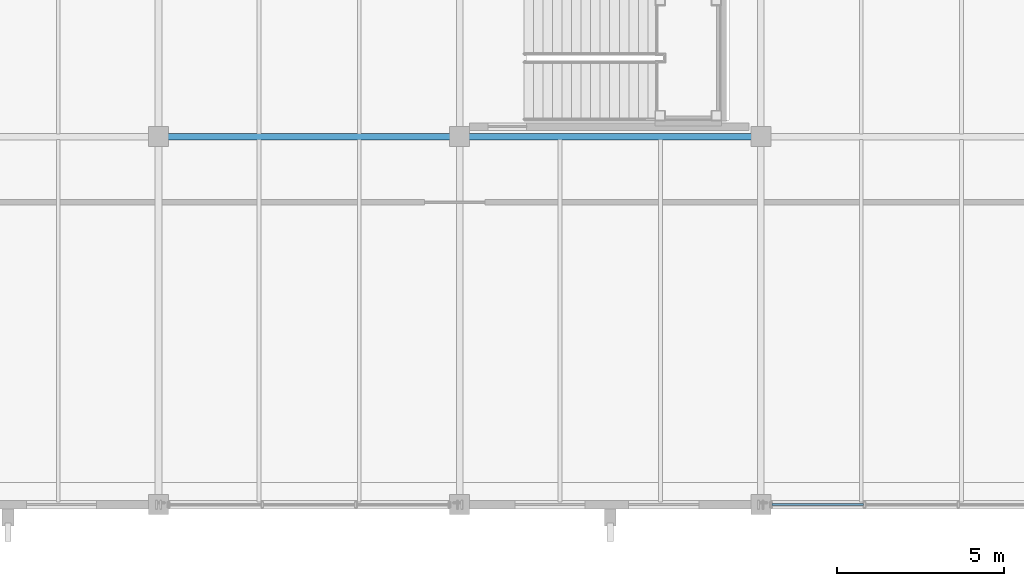
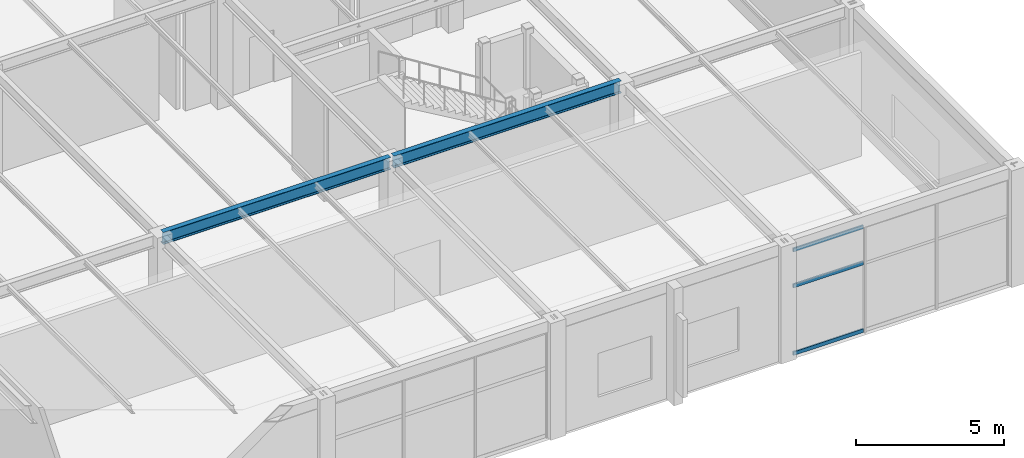
# One storey, part 61 of 143: 3 members, 2 beams, 1 element without a shape of its own.
"""IFC4 building model written with IfcOpenShell, lengths in metres."""

import ifcopenshell
import ifcopenshell.guid

model = None  # the IFC model being written
_history = None  # IfcOwnerHistory: only IFC2X3 demands one
_inside = {}  # id of a spatial element -> (the spatial element, [elements in it])
_under = {}  # id of a project, library or spatial element -> (it, [spatial elements below it])
_declared = {}  # id of a project -> (the project, [libraries it declares])
_typed = {}  # id of a type object -> (the type object, [elements of that type])
_made_of = {}  # id of a material, layer set ... -> (it, [elements and type objects made of it])


def new_model(schema):
    """Start an empty IFC model of exactly this schema.

    Asked for "IFC4X3", IfcOpenShell would pick the latest addendum, in which some entities
    have other attributes; the version numbers below select the first issue.
    IFC2X3 requires an IfcOwnerHistory on every rooted entity: one is made here for all.
    """
    global model, _history
    if schema == "IFC4X3":
        model = ifcopenshell.file(schema_version=(4, 3, 0, 0))
    else:
        model = ifcopenshell.file(schema=schema)
    _inside.clear()
    _under.clear()
    _declared.clear()
    _typed.clear()
    _made_of.clear()
    _history = None
    if model.schema == "IFC2X3":
        org = make("IfcOrganization", Name="unknown")
        user = make(
            "IfcPersonAndOrganization",
            ThePerson=make("IfcPerson", FamilyName="unknown"),
            TheOrganization=org,
        )
        app = make(
            "IfcApplication",
            ApplicationDeveloper=org,
            Version="unknown",
            ApplicationFullName="unknown",
            ApplicationIdentifier="unknown",
        )
        _history = make(
            "IfcOwnerHistory",
            OwningUser=user,
            OwningApplication=app,
            ChangeAction="ADDED",
            CreationDate=0,
        )
    return model


def make(cls, **values):
    """One entity of the class cls with the attributes given. An attribute that is None is left unset."""
    return model.create_entity(
        cls, **{name: value for name, value in values.items() if value is not None}
    )


def rooted(cls, **values):
    """An entity with a GlobalId (a new one), such as an element, a storey or a relation."""
    return make(cls, GlobalId=ifcopenshell.guid.new(), OwnerHistory=_history, **values)


def si_unit(unit_type, name, prefix=None):
    """IfcSIUnit, for example si_unit("LENGTHUNIT", "METRE", prefix="MILLI")."""
    return make("IfcSIUnit", UnitType=unit_type, Prefix=prefix, Name=name)


def assignment(units):
    """IfcUnitAssignment: the units of a project."""
    return None if units is None else make("IfcUnitAssignment", Units=units)


def point(xyz):
    """IfcCartesianPoint."""
    return None if xyz is None else make("IfcCartesianPoint", Coordinates=xyz)


def direction(xyz):
    """IfcDirection."""
    return None if xyz is None else make("IfcDirection", DirectionRatios=xyz)


def frame(location, z_axis=None, x_axis=None):
    """IfcAxis2Placement3D, a coordinate frame: its origin and axes. An axis left out is left unset."""
    return make(
        "IfcAxis2Placement3D",
        Location=point(location),
        Axis=direction(z_axis),
        RefDirection=direction(x_axis),
    )


def frame_2d(location, x_axis=None):
    """IfcAxis2Placement2D, a coordinate frame in the plane: its origin and x axis."""
    return make(
        "IfcAxis2Placement2D", Location=point(location), RefDirection=direction(x_axis)
    )


def origin():
    """The frame at (0, 0, 0) with its axes left unset."""
    return frame((0.0, 0.0, 0.0))


def origin_2d():
    """The frame at (0, 0) in the plane with its x axis left unset."""
    return frame_2d((0.0, 0.0))


def place(relative_to, where):
    """IfcLocalPlacement: puts the frame where relative to a parent placement (None: the world)."""
    return make(
        "IfcLocalPlacement", PlacementRelTo=relative_to, RelativePlacement=where
    )


def context(
    kind, dimensions, precision=None, world=None, true_north=None, identifier=None
):
    """IfcGeometricRepresentationContext, for example the 3D "Model" context."""
    return make(
        "IfcGeometricRepresentationContext",
        ContextIdentifier=identifier,
        ContextType=kind,
        CoordinateSpaceDimension=dimensions,
        Precision=precision,
        WorldCoordinateSystem=world,
        TrueNorth=true_north,
    )


def subcontext(parent, identifier, kind, view, scale=None):
    """IfcGeometricRepresentationSubContext, for example "Body" below "Model"."""
    return make(
        "IfcGeometricRepresentationSubContext",
        ContextIdentifier=identifier,
        ContextType=kind,
        ParentContext=parent,
        TargetScale=scale,
        TargetView=view,
    )


def project(units=None, contexts=None):
    """IfcProject with its units and contexts."""
    return rooted(
        "IfcProject",
        Name="project",
        RepresentationContexts=contexts,
        UnitsInContext=assignment(units),
    )


def spatial(cls, under=None, at=None, **own):
    """A site, building, storey or space (cls), placed at a placement, below another one or the project."""
    s = rooted(cls, ObjectPlacement=at, **own)
    if under is not None:
        _under.setdefault(under.id(), (under, []))[1].append(s)
    return s


def profile(cls, at=None, kind="AREA", **sizes):
    """A parametric profile (cls). Its sizes go by their IFC names, for example OverallWidth=200.0."""
    return make(cls, ProfileType=kind, Position=at, **sizes)


def hollow_rectangle(**sizes):
    """IfcRectangleHollowProfileDef."""
    return profile("IfcRectangleHollowProfileDef", **sizes)


def i_section(**sizes):
    """IfcIShapeProfileDef."""
    return profile("IfcIShapeProfileDef", **sizes)


def extrude(swept, where, along, depth):
    """IfcExtrudedAreaSolid: the profile swept, set in the frame where, extruded along a direction by depth."""
    return make(
        "IfcExtrudedAreaSolid",
        SweptArea=swept,
        Position=where,
        ExtrudedDirection=direction(along),
        Depth=depth,
    )


def shape(context_of_items, identifier, shape_type, items):
    """IfcShapeRepresentation: the items that make up one representation, for example the "Body"."""
    return make(
        "IfcShapeRepresentation",
        ContextOfItems=context_of_items,
        RepresentationIdentifier=identifier,
        RepresentationType=shape_type,
        Items=items,
    )


def material(Name=None, Category=None):
    """IfcMaterial."""
    return make("IfcMaterial", Name=Name, Category=Category)


def layer(
    of_material, thickness, ventilated=None, Name=None, Category=None, Priority=None
):
    """IfcMaterialLayer: one layer of a wall or slab, of a material (None: an air gap)."""
    return make(
        "IfcMaterialLayer",
        Material=of_material,
        LayerThickness=thickness,
        IsVentilated=ventilated,
        Name=Name,
        Category=Category,
        Priority=Priority,
    )


def layer_set(layers, Name=None):
    """IfcMaterialLayerSet."""
    return make("IfcMaterialLayerSet", MaterialLayers=layers, LayerSetName=Name)


def material_profile(
    of_material, cross_section, Name=None, Category=None, Priority=None
):
    """IfcMaterialProfile: a cross section and its material."""
    return make(
        "IfcMaterialProfile",
        Name=Name,
        Material=of_material,
        Profile=cross_section,
        Priority=Priority,
        Category=Category,
    )


def profile_set(profiles, Name=None, composite=None):
    """IfcMaterialProfileSet."""
    return make(
        "IfcMaterialProfileSet",
        Name=Name,
        MaterialProfiles=profiles,
        CompositeProfile=composite,
    )


def made_of(thing, what):
    """Note that an element or type object is made of a material, layer set ...; save() writes the relation."""
    if what is not None:
        _made_of.setdefault(what.id(), (what, []))[1].append(thing)
    return thing


def type_object(cls, material=None, **own):
    """A type object (cls), such as IfcWallType, which elements share."""
    return made_of(rooted(cls, **own), material)


def element(
    cls,
    number,
    at=None,
    inside=None,
    cuts=None,
    type_object=None,
    material=None,
    context=None,
    identifier="Body",
    shape_type=None,
    held_by="IfcProductDefinitionShape",
    body=None,
    shapes=None,
    **own,
):
    """One element of the class cls, such as IfcWall. Its Tag is "e" and its number.

    at: its placement. inside: the storey or other place that contains it. cuts: it is an
    opening in that element (IfcRelVoidsElement). A single representation is given by context,
    identifier, shape_type and body (its items); several are given by shapes. held_by: the class
    of the entity that holds the representations. save() writes the other relations.
    """
    e = rooted(cls, Tag="e%d" % number, ObjectPlacement=at, **own)
    if body is not None:
        shapes = [shape(context, identifier, shape_type, body)]
    if shapes is not None:
        e.Representation = make(held_by, Representations=shapes)
    if inside is not None:
        _inside.setdefault(inside.id(), (inside, []))[1].append(e)
    if cuts is not None:
        rooted(
            "IfcRelVoidsElement", RelatingBuildingElement=cuts, RelatedOpeningElement=e
        )
    if type_object is not None:
        _typed.setdefault(type_object.id(), (type_object, []))[1].append(e)
    return made_of(e, material)


def aggregate(whole, parts):
    """IfcRelAggregates: a whole, such as a stair, and the parts it consists of."""
    return rooted("IfcRelAggregates", RelatingObject=whole, RelatedObjects=parts)


def save(model, path):
    """Write the relations noted so far, then the file.

    IfcRelAggregates (storeys below a building ...), IfcRelContainedInSpatialStructure (elements
    in a storey), IfcRelDefinesByType, IfcRelAssociatesMaterial and IfcRelDeclares: one each for
    every whole, place, type object, material and project.
    """
    for whole, parts in _under.values():
        aggregate(whole, parts)
    for where, things in _inside.values():
        rooted(
            "IfcRelContainedInSpatialStructure",
            RelatedElements=things,
            RelatingStructure=where,
        )
    for kind, things in _typed.values():
        rooted("IfcRelDefinesByType", RelatedObjects=things, RelatingType=kind)
    for what, things in _made_of.values():
        rooted("IfcRelAssociatesMaterial", RelatedObjects=things, RelatingMaterial=what)
    for by, libraries in _declared.values():
        rooted("IfcRelDeclares", RelatingContext=by, RelatedDefinitions=libraries)
    model.write(path)


model = new_model("IFC4")

# Units and contexts
model_context = context("Model", 3, precision=1e-05, world=origin(), true_north=direction((0.0, 1.0)))
body_context = subcontext(model_context, "Body", "Model", "MODEL_VIEW")
ifc_project = project(units=[si_unit("LENGTHUNIT", "METRE"), si_unit("AREAUNIT", "SQUARE_METRE"), si_unit("VOLUMEUNIT", "CUBIC_METRE"), si_unit("PLANEANGLEUNIT", "RADIAN"), si_unit("MASSUNIT", "GRAM", prefix="KILO")], contexts=[model_context])

# Site, building, storey
site_placement = place(None, origin())
site = spatial("IfcSite", under=ifc_project, at=site_placement, CompositionType="ELEMENT")
building_placement = place(site_placement, origin())
building = spatial("IfcBuilding", under=site, at=building_placement, Name="Marlcrest Central Station", CompositionType="ELEMENT")
storey_placement = place(building_placement, frame((0.0, 0.0, 4.800048828125)))
storey = spatial("IfcBuildingStorey", under=building, at=storey_placement, Name="L01", CompositionType="ELEMENT", Elevation=4.800048828125)

# Beams
ifc_material_1 = material(Name="Steel S355", Category="steel")
ifc_material_profile_1 = material_profile(ifc_material_1, i_section(OverallWidth=0.199951171875, OverallDepth=0.5, WebThickness=0.01025390625, FlangeThickness=0.01611328125, FilletRadius=0.02099609375, at=origin_2d()), Name="IPE 500")
ifc_profile_set_1 = profile_set([ifc_material_profile_1], Name="Steel S355")
beam_type = type_object("IfcBeamType", Name="BM-05", PredefinedType="BEAM", material=ifc_profile_set_1)
for number, where, z_axis, x_axis, name in (
    (1, (189.06005859375, 11.0, 4.56494140625), (1.0, 0.0, 0.0), (0.0, 1.0, 0.0), "bm-BM-05-L01-00870"),
    (2, (198.06005859375, 11.0, 4.56494140625), (1.0, 0.0, 0.0), (0.0, 1.0, 0.0), "bm-BM-05-L01-00871"),
):
    element("IfcBeam", number, at=place(storey_placement, frame(where, z_axis=z_axis, x_axis=x_axis)), inside=storey, type_object=beam_type, Name=name, PredefinedType="BEAM", context=body_context, shape_type="SweptSolid", body=[
        extrude(i_section(OverallWidth=0.199951171875, OverallDepth=0.5, WebThickness=0.01025390625, FlangeThickness=0.01611328125, FilletRadius=0.02099609375, at=origin_2d()), origin(), (0.0, 0.0, 1.0), 8.8798828125),
    ])

# Curtain wall, members
ifc_material_2 = material(Name="Anodised aluminium and hurricane laminated glass", Category="aluminium")
ifc_layer = layer(ifc_material_2, 0.179931640625, Name="CW-S1")
ifc_layer_set = layer_set([ifc_layer], Name="Anodised aluminium and hurricane laminated glass")
curtain_wall_type = type_object("IfcCurtainWallType", Name="CW-S1", PredefinedType="USERDEFINED", material=ifc_layer_set)
curtain_wall_placement = place(storey_placement, origin())
curtain_wall = element("IfcCurtainWall", 3, at=curtain_wall_placement, inside=storey, type_object=curtain_wall_type, Name="cw-L01-0152", ObjectType="STICK_CURTAIN_WALL", PredefinedType="USERDEFINED")
ifc_material_3 = material(Name="Anodised aluminium 6063-T6", Category="aluminium")
ifc_material_profile_2 = material_profile(ifc_material_3, hollow_rectangle(XDim=0.06005859375, YDim=0.14990234375, WallThickness=0.00390625, at=origin_2d()), Name="AA-RHS 150x60x4")
ifc_profile_set_2 = profile_set([ifc_material_profile_2], Name="Anodised aluminium 6063-T6")
member_type = type_object("IfcMemberType", Name="TR-01", PredefinedType="USERDEFINED", material=ifc_profile_set_2)
member_1_placement = place(storey_placement, frame((210.06689453125, 0.0, 0.0400390625), z_axis=(-1.0, 0.0, 0.0), x_axis=(0.0, -1.0, 0.0)))
member_1 = element("IfcMember", 4, at=member_1_placement, type_object=member_type, Name="cw-L01-0152-tr-2-sill", ObjectType="TRANSOM", PredefinedType="USERDEFINED", context=body_context, shape_type="SweptSolid", body=[
    extrude(hollow_rectangle(XDim=0.06005859375, YDim=0.14990234375, WallThickness=0.00390625, at=origin_2d()), origin(), (0.0, 0.0, 1.0), 2.73388671875),
])
member_2_placement = place(storey_placement, frame((210.06689453125, 0.0, 2.827880859375), z_axis=(-1.0, 0.0, 0.0), x_axis=(0.0, -1.0, 0.0)))
member_2 = element("IfcMember", 5, at=member_2_placement, type_object=member_type, Name="cw-L01-0152-tr-2-mid", ObjectType="TRANSOM", PredefinedType="USERDEFINED", context=body_context, shape_type="SweptSolid", body=[
    extrude(hollow_rectangle(XDim=0.06005859375, YDim=0.14990234375, WallThickness=0.00390625, at=origin_2d()), origin(), (0.0, 0.0, 1.0), 2.73388671875),
])
member_3_placement = place(storey_placement, frame((210.06689453125, 0.0, 4.31005859375), z_axis=(-1.0, 0.0, 0.0), x_axis=(0.0, -1.0, 0.0)))
member_3 = element("IfcMember", 6, at=member_3_placement, type_object=member_type, Name="cw-L01-0152-tr-2-head", ObjectType="TRANSOM", PredefinedType="USERDEFINED", context=body_context, shape_type="SweptSolid", body=[
    extrude(hollow_rectangle(XDim=0.06005859375, YDim=0.14990234375, WallThickness=0.00390625, at=origin_2d()), origin(), (0.0, 0.0, 1.0), 2.73388671875),
])
aggregate(curtain_wall, [member_1, member_2, member_3])

save(model, "model.ifc")
